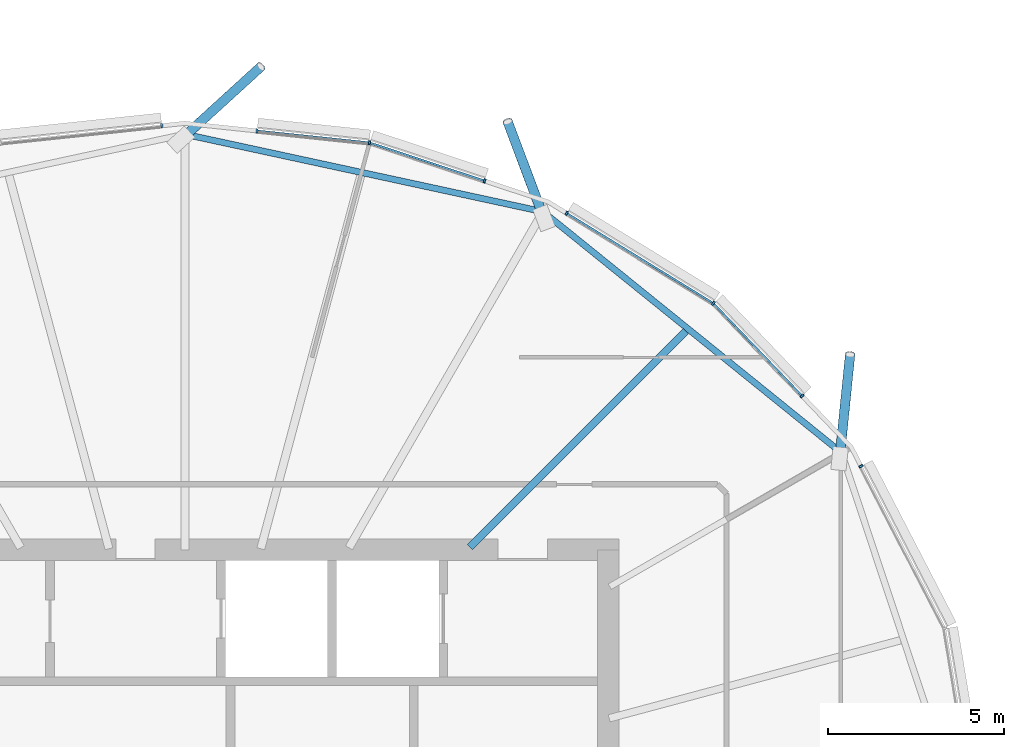
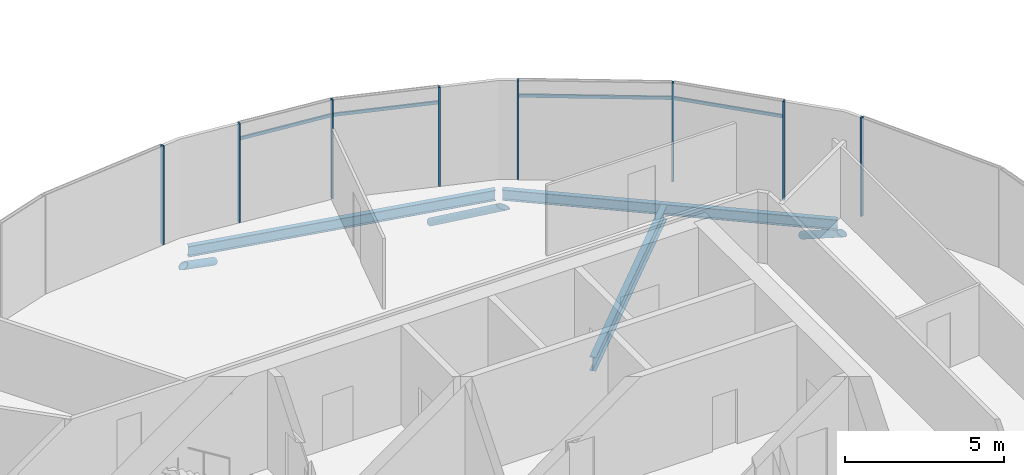
# One storey, part 11 of 37: 15 members, 3 beams, 1 element without a shape of its own.
"""IFC4 building model written with IfcOpenShell, lengths in metres."""

from ifc_helpers import new_model, si_unit, direction, frame, origin, origin_2d, place, context, subcontext, project, spatial, rectangle, hollow_circle, i_section, extrude, clip, halfspace, material, material_profile, profile_set, type_object, element, aggregate, save


model = new_model("IFC4")

# Units and contexts
model_context = context("Model", 3, precision=1e-05, world=origin(), true_north=direction((0.0, 1.0)))
body_context = subcontext(model_context, "Body", "Model", "MODEL_VIEW")
ifc_project = project(units=[si_unit("LENGTHUNIT", "METRE"), si_unit("AREAUNIT", "SQUARE_METRE"), si_unit("VOLUMEUNIT", "CUBIC_METRE"), si_unit("PLANEANGLEUNIT", "RADIAN"), si_unit("MASSUNIT", "GRAM", prefix="KILO")], contexts=[model_context])

# Site, building, storey
site_placement = place(None, origin())
site = spatial("IfcSite", under=ifc_project, at=site_placement, CompositionType="ELEMENT")
building_placement = place(site_placement, origin())
building = spatial("IfcBuilding", under=site, at=building_placement, Name="Rimbun Link Towers", CompositionType="ELEMENT")
storey_placement = place(building_placement, frame((0.0, 0.0, 166.5)))
storey = spatial("IfcBuildingStorey", under=building, at=storey_placement, Name="L40", CompositionType="ELEMENT", Elevation=166.5)

# Curtain wall, members
ifc_material_1 = material(Name="Aluminium 6063-T6 and low-iron glass", Category="aluminium")
curtain_wall_type = type_object("IfcCurtainWallType", Name="CW1-Z3 unitised vision wall (zone 3)", PredefinedType="NOTDEFINED", material=ifc_material_1)
curtain_wall_placement = place(storey_placement, origin())
curtain_wall = element("IfcCurtainWall", 1, at=curtain_wall_placement, inside=storey, type_object=curtain_wall_type, Name="CW1 L40 T1", PredefinedType="NOTDEFINED")
ifc_material_2 = material(Name="Aluminium 6063-T6", Category="aluminium")
ifc_material_profile_1 = material_profile(ifc_material_2, rectangle(XDim=0.1201171875, YDim=0.06005859375, at=origin_2d()), Name="MULLION 60X120")
ifc_profile_set_1 = profile_set([ifc_material_profile_1], Name="Aluminium 6063-T6")
member_type_1 = type_object("IfcMemberType", Name="CW1 mullion 60X120", PredefinedType="MULLION", material=ifc_profile_set_1)
member_1_placement = place(storey_placement, frame((-12.580810546875, 10.3720703125, 0.0), z_axis=(0.0, 0.0, 1.0), x_axis=(0.888144396677, 0.459564501078, 0.0)))
member_1 = element("IfcMember", 2, at=member_1_placement, type_object=member_type_1, Name="CW1 mullion", PredefinedType="MULLION", context=body_context, shape_type="SweptSolid", body=[
    extrude(rectangle(XDim=0.1201171875, YDim=0.06005859375, at=origin_2d()), origin(), (0.0, 0.0, 1.0), 3.800048828125),
])
member_2_placement = place(storey_placement, frame((-16.76953125, 14.989501953125, 0.0), z_axis=(0.0, 0.0, 1.0), x_axis=(0.627675785623, 0.778474860315, 0.0)))
member_2 = element("IfcMember", 3, at=member_2_placement, type_object=member_type_1, Name="CW1 mullion", PredefinedType="MULLION", context=body_context, shape_type="SweptSolid", body=[
    extrude(rectangle(XDim=0.1201171875, YDim=0.06005859375, at=origin_2d()), origin(), (0.0, 0.0, 1.0), 3.800048828125),
])
member_3_placement = place(storey_placement, frame((-14.25048828125, 12.362548828125, 0.0), z_axis=(0.0, 0.0, 1.0), x_axis=(0.721847376977, 0.692052284405, 0.0)))
member_3 = element("IfcMember", 4, at=member_3_placement, type_object=member_type_1, Name="CW1 mullion", PredefinedType="MULLION", context=body_context, shape_type="SweptSolid", body=[
    extrude(rectangle(XDim=0.1201171875, YDim=0.06005859375, at=origin_2d()), origin(), (0.0, 0.0, 1.0), 3.800048828125),
])
member_4_placement = place(storey_placement, frame((-20.92724609375, 17.542724609375, 0.0), z_axis=(0.0, 0.0, 1.0), x_axis=(0.523249760653, 0.85217937547, 0.0)))
member_4 = element("IfcMember", 5, at=member_4_placement, type_object=member_type_1, Name="CW1 mullion", PredefinedType="MULLION", context=body_context, shape_type="SweptSolid", body=[
    extrude(rectangle(XDim=0.1201171875, YDim=0.06005859375, at=origin_2d()), origin(), (0.0, 0.0, 1.0), 3.800048828125),
])
member_5_placement = place(storey_placement, frame((-26.51708984375, 19.541015625, 0.0), z_axis=(0.0, 0.0, 1.0), x_axis=(0.210865888506, 0.977515000941, 0.0)))
member_5 = element("IfcMember", 6, at=member_5_placement, type_object=member_type_1, Name="CW1 mullion", PredefinedType="MULLION", context=body_context, shape_type="SweptSolid", body=[
    extrude(rectangle(XDim=0.1201171875, YDim=0.06005859375, at=origin_2d()), origin(), (0.0, 0.0, 1.0), 3.800048828125),
])
member_6_placement = place(storey_placement, frame((-23.254638671875, 18.460205078125, 0.0), z_axis=(0.0, 0.0, 1.0), x_axis=(0.314555722988, 0.949239009489, 0.0)))
member_6 = element("IfcMember", 7, at=member_6_placement, type_object=member_type_1, Name="CW1 mullion", PredefinedType="MULLION", context=body_context, shape_type="SweptSolid", body=[
    extrude(rectangle(XDim=0.1201171875, YDim=0.06005859375, at=origin_2d()), origin(), (0.0, 0.0, 1.0), 3.800048828125),
])
member_7_placement = place(storey_placement, frame((-29.705078125, 19.876953125, 0.0), z_axis=(0.0, 0.0, 1.0), x_axis=(0.104740318219, 0.994499605701, 0.0)))
member_7 = element("IfcMember", 8, at=member_7_placement, type_object=member_type_1, Name="CW1 mullion", PredefinedType="MULLION", context=body_context, shape_type="SweptSolid", body=[
    extrude(rectangle(XDim=0.1201171875, YDim=0.06005859375, at=origin_2d()), origin(), (0.0, 0.0, 1.0), 3.800048828125),
])
member_8_placement = place(storey_placement, frame((-32.402587890625, 20.023681640625, 0.0), z_axis=(0.0, 0.0, 1.0), x_axis=(-0.104740318219, 0.994499605701, 0.0)))
member_8 = element("IfcMember", 9, at=member_8_placement, type_object=member_type_1, Name="CW1 mullion", PredefinedType="MULLION", context=body_context, shape_type="SweptSolid", body=[
    extrude(rectangle(XDim=0.1201171875, YDim=0.06005859375, at=origin_2d()), origin(), (0.0, 0.0, 1.0), 3.800048828125),
])
ifc_material_3 = material(Name="Aluminium 6063-T6", Category="aluminium")
ifc_material_profile_2 = material_profile(ifc_material_3, rectangle(XDim=0.06005859375, YDim=0.1201171875, at=origin_2d()), Name="TRANSOM 60X120")
ifc_profile_set_2 = profile_set([ifc_material_profile_2], Name="Aluminium 6063-T6")
member_type_2 = type_object("IfcMemberType", Name="CW1 transom 60X120", PredefinedType="USERDEFINED", material=ifc_profile_set_2)
member_9_placement = place(storey_placement, frame((-16.74462890625, 14.961181640625, 3.199951171875), z_axis=(0.692049349553, -0.721850190679, 0.0), x_axis=(0.721850190679, 0.692049349553, 0.0)))
member_9 = element("IfcMember", 10, at=member_9_placement, type_object=member_type_2, Name="CW1 transom", ObjectType="TRANSOM", PredefinedType="USERDEFINED", context=body_context, shape_type="SweptSolid", body=[
    extrude(rectangle(XDim=0.06005859375, YDim=0.1201171875, at=origin_2d()), origin(), (0.0, 0.0, 1.0), 3.57177734375),
])
member_10_placement = place(storey_placement, frame((-20.902587890625, 17.525390625, 3.199951171875), z_axis=(0.852173607466, -0.523259154471, 0.0), x_axis=(0.523259154471, 0.852173607466, 0.0)))
member_10 = element("IfcMember", 11, at=member_10_placement, type_object=member_type_2, Name="CW1 transom", ObjectType="TRANSOM", PredefinedType="USERDEFINED", context=body_context, shape_type="SweptSolid", body=[
    extrude(rectangle(XDim=0.06005859375, YDim=0.1201171875, at=origin_2d()), origin(), (0.0, 0.0, 1.0), 4.811279296875),
])
member_11_placement = place(storey_placement, frame((-26.48291015625, 19.52783203125, 3.199951171875), z_axis=(0.949246811547, -0.314532177636, 0.0), x_axis=(0.314532177636, 0.949246811547, 0.0)))
member_11 = element("IfcMember", 12, at=member_11_placement, type_object=member_type_2, Name="CW1 transom", ObjectType="TRANSOM", PredefinedType="USERDEFINED", context=body_context, shape_type="SweptSolid", body=[
    extrude(rectangle(XDim=0.06005859375, YDim=0.1201171875, at=origin_2d()), origin(), (0.0, 0.0, 1.0), 3.370361328125),
])
member_12_placement = place(storey_placement, frame((-29.67529296875, 19.871826171875, 3.199951171875), z_axis=(0.994505452921, -0.104684784518, 0.0), x_axis=(0.104684784518, 0.994505452921, 0.0)))
member_12 = element("IfcMember", 13, at=member_12_placement, type_object=member_type_2, Name="CW1 transom", ObjectType="TRANSOM", PredefinedType="USERDEFINED", context=body_context, shape_type="SweptSolid", body=[
    extrude(rectangle(XDim=0.06005859375, YDim=0.1201171875, at=origin_2d()), origin(), (0.0, 0.0, 1.0), 3.13916015625),
])
aggregate(curtain_wall, [member_1, member_2, member_3, member_4, member_5, member_6, member_7, member_8, member_9, member_10, member_11, member_12])

# Members
ifc_material_4 = material(Name="Steel S355J2H", Category="steel")
ifc_material_profile_3 = material_profile(ifc_material_4, hollow_circle(Radius=0.136474609375, WallThickness=0.012451171875, at=origin_2d()), Name="CHS 273x12.5")
ifc_profile_set_3 = profile_set([ifc_material_profile_3], Name="Steel S355J2H")
member_type_3 = type_object("IfcMemberType", Name="Floor edge link CHS 273x12.5", PredefinedType="BRACE", material=ifc_profile_set_3)
member_13_placement = place(storey_placement, frame((-13.176025390625, 10.7236328125, -0.670166015625), z_axis=(0.083960047693, 0.828362857587, -0.553864321438), x_axis=(-0.994902660117, 0.100839956823, 0.0)))
element("IfcMember", 14, at=member_13_placement, inside=storey, type_object=member_type_3, Name="Floor edge link T1 L40 02", PredefinedType="BRACE", context=body_context, shape_type="Clipping", body=[
    clip(extrude(hollow_circle(Radius=0.136474609375, WallThickness=0.012451171875, at=origin_2d()), frame((0.0, 0.0, -0.428466796875)), (0.0, 0.0, 1.0), 3.83935546875), halfspace(frame((0.0, 0.0, -0.201904296875), z_axis=(0.0, 0.832606938139, -0.553864321438)), False)),
])
member_14_placement = place(storey_placement, frame((-21.62255859375, 17.541259765625, -0.867431640625), z_axis=(-0.296122982888, 0.787476512316, -0.540547797662), x_axis=(-0.93600862714, -0.351977058798, 0.0)))
element("IfcMember", 15, at=member_14_placement, inside=storey, type_object=member_type_3, Name="Floor edge link T1 L40 04", PredefinedType="BRACE", context=body_context, shape_type="Clipping", body=[
    clip(extrude(hollow_circle(Radius=0.136474609375, WallThickness=0.012451171875, at=origin_2d()), frame((0.0, 0.0, -0.443359375)), (0.0, 0.0, 1.0), 3.758544921875), halfspace(frame((0.0, 0.0, -0.208740234375), z_axis=(0.0, 0.841313305757, -0.540547797662)), False)),
])
member_15_placement = place(storey_placement, frame((-31.75, 19.730712890625, -0.869140625), z_axis=(0.629821599738, 0.57416558822, -0.523123914391), x_axis=(-0.673700344844, 0.739004631486, 0.0)))
element("IfcMember", 16, at=member_15_placement, inside=storey, type_object=member_type_3, Name="Floor edge link T1 L40 06", PredefinedType="BRACE", context=body_context, shape_type="Clipping", body=[
    clip(extrude(hollow_circle(Radius=0.136474609375, WallThickness=0.012451171875, at=origin_2d()), frame((0.0, 0.0, -0.4638671875)), (0.0, 0.0, 1.0), 3.90283203125), halfspace(frame((0.0, 0.0, -0.218994140625), z_axis=(0.0, 0.852256633997, -0.523123914391)), False)),
])

# Beams
ifc_material_5 = material(Name="Steel S355J2", Category="steel")
ifc_material_profile_4 = material_profile(ifc_material_5, i_section(OverallWidth=0.177978515625, OverallDepth=0.406494140625, WebThickness=0.0078125, FlangeThickness=0.0126953125, at=origin_2d()), Name="UB 406x178x60")
ifc_profile_set_4 = profile_set([ifc_material_profile_4], Name="Steel S355J2")
beam_type_1 = type_object("IfcBeamType", Name="UB 406x178x60", PredefinedType="BEAM", material=ifc_profile_set_4)
beam_1_placement = place(storey_placement, frame((-13.207763671875, 10.80908203125, -0.353271484375), z_axis=(-0.777982483739, 0.628285965938, 0.0), x_axis=(-0.628285965938, -0.777982483739, 0.0)))
element("IfcBeam", 17, at=beam_1_placement, inside=storey, type_object=beam_type_1, Name="Edge beam T1 L40 02-04", PredefinedType="BEAM", context=body_context, shape_type="SweptSolid", body=[
    extrude(i_section(OverallWidth=0.177978515625, OverallDepth=0.406494140625, WebThickness=0.0078125, FlangeThickness=0.0126953125, at=origin_2d()), origin(), (0.0, 0.0, 1.0), 10.667724609375),
])
beam_2_placement = place(storey_placement, frame((-21.71533203125, 17.610107421875, -0.353271484375), z_axis=(-0.977395763905, 0.211417881693, 0.0), x_axis=(-0.211417881693, -0.977395763905, 0.0)))
element("IfcBeam", 18, at=beam_2_placement, inside=storey, type_object=beam_type_1, Name="Edge beam T1 L40 04-06", PredefinedType="BEAM", context=body_context, shape_type="SweptSolid", body=[
    extrude(i_section(OverallWidth=0.177978515625, OverallDepth=0.406494140625, WebThickness=0.0078125, FlangeThickness=0.0126953125, at=origin_2d()), origin(), (0.0, 0.0, 1.0), 10.1494140625),
])
ifc_material_6 = material(Name="Steel S355J2", Category="steel")
ifc_material_profile_5 = material_profile(ifc_material_6, i_section(OverallWidth=0.209228515625, OverallDepth=0.533203125, WebThickness=0.010009765625, FlangeThickness=0.015625, at=origin_2d()), Name="UB 533x210x92")
ifc_profile_set_5 = profile_set([ifc_material_profile_5], Name="Steel S355J2")
beam_type_2 = type_object("IfcBeamType", Name="UB 533x210x92", PredefinedType="BEAM", material=ifc_profile_set_5)
beam_3_placement = place(storey_placement, frame((-23.67529296875, 8.07470703125, -0.41650390625), z_axis=(0.707106781187, 0.707106781187, 0.0), x_axis=(-0.707106781187, 0.707106781187, 0.0)))
element("IfcBeam", 19, at=beam_3_placement, inside=storey, type_object=beam_type_2, Name="Radial beam T1 L40 03", PredefinedType="BEAM", context=body_context, shape_type="SweptSolid", body=[
    extrude(i_section(OverallWidth=0.209228515625, OverallDepth=0.533203125, WebThickness=0.010009765625, FlangeThickness=0.015625, at=origin_2d()), origin(), (0.0, 0.0, 1.0), 8.662841796875),
])

save(model, "model.ifc")
